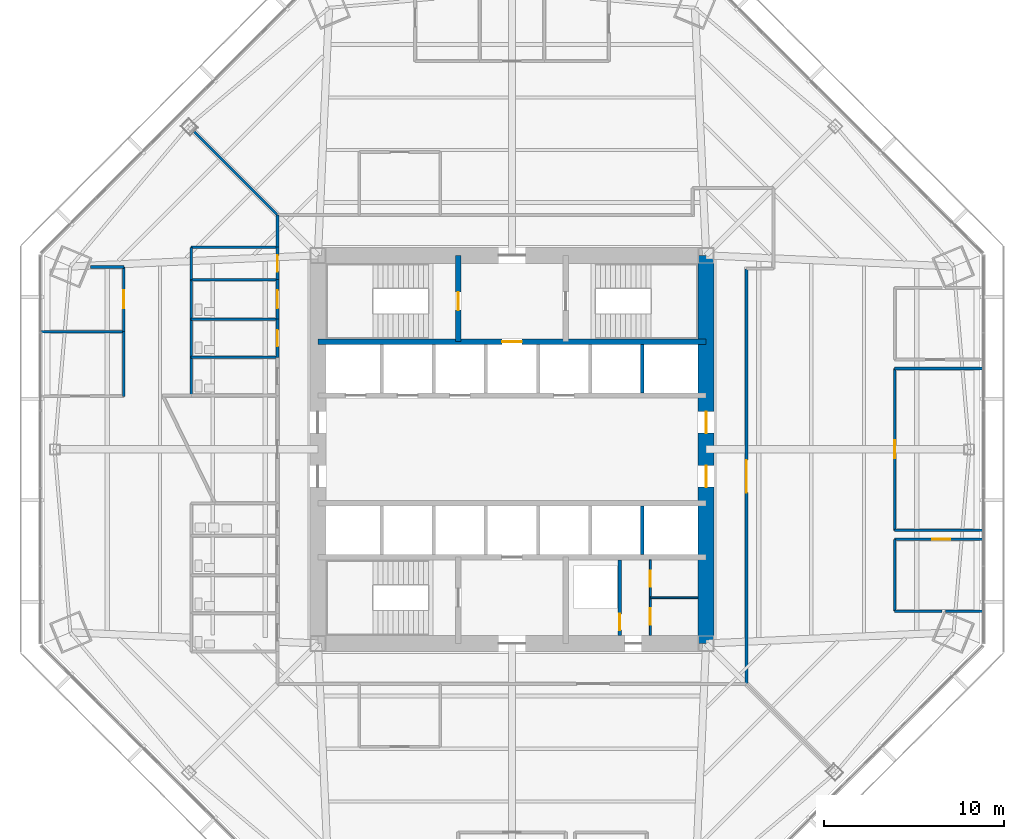
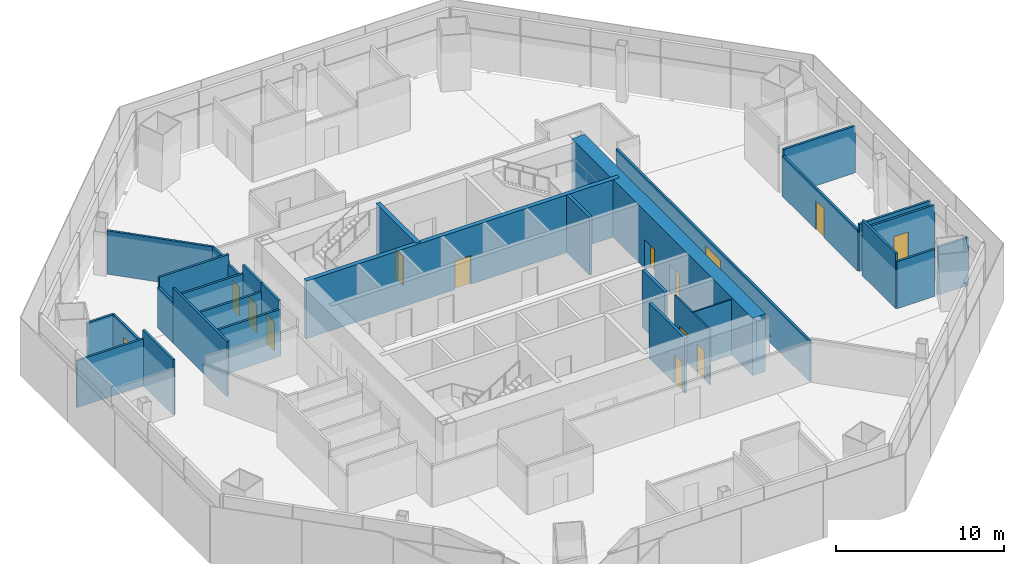
# One storey, part 10 of 15: 31 walls, 14 doors, 14 openings.
"""IFC4 building model written with IfcOpenShell, lengths in metres."""

from ifc_helpers import new_model, si_unit, direction, frame, frame_2d, origin, place, context, subcontext, project, spatial, rectangle, extrude, material, layer, layer_set, type_object, element, fill, save


model = new_model("IFC4")

# Units and contexts
model_context = context("Model", 3, precision=1e-05, world=origin(), true_north=direction((0.0, 1.0)))
body_context = subcontext(model_context, "Body", "Model", "MODEL_VIEW")
ifc_project = project(units=[si_unit("LENGTHUNIT", "METRE"), si_unit("AREAUNIT", "SQUARE_METRE"), si_unit("VOLUMEUNIT", "CUBIC_METRE"), si_unit("PLANEANGLEUNIT", "RADIAN"), si_unit("MASSUNIT", "GRAM", prefix="KILO")], contexts=[model_context])

# Site, building, storey
site_placement = place(None, origin())
site = spatial("IfcSite", under=ifc_project, at=site_placement, CompositionType="ELEMENT")
building_placement = place(site_placement, origin())
building = spatial("IfcBuilding", under=site, at=building_placement, Name="Mashrafa Tower", CompositionType="ELEMENT")
storey_placement = place(building_placement, frame((0.0, 0.0, 62.39990234375)))
storey = spatial("IfcBuildingStorey", under=building, at=storey_placement, Name="L13", CompositionType="ELEMENT", Elevation=62.39990234375)

# Wall, opening, door
ifc_material_1 = material(Name="Concrete masonry unit", Category="masonry")
ifc_layer_1 = layer(ifc_material_1, 0.199951171875)
ifc_layer_set_1 = layer_set([ifc_layer_1], Name="Blockwork wall 200 2 hr")
wall_type_1 = type_object("IfcWallType", Name="Blockwork wall 200 2 hr", PredefinedType="PARTITIONING", material=ifc_layer_set_1)
wall_1_placement = place(storey_placement, frame((6.0, -10.35009765625, 0.0), z_axis=(0.0, 0.0, 1.0), x_axis=(0.0, 1.0, 0.0)))
wall_1 = element("IfcWall", 1, at=wall_1_placement, inside=storey, type_object=wall_type_1, Name="Riser enclosure wall L13", PredefinedType="PARTITIONING", context=body_context, shape_type="SweptSolid", body=[
    extrude(rectangle(XDim=4.2001953125, YDim=0.199951171875, at=frame_2d((2.10009765625, 0.0))), origin(), (0.0, 0.0, 1.0), 4.03515625),
])
opening_1_placement = place(wall_1_placement, frame((0.300048828125, 0.0, 0.0)))
opening_1 = element("IfcOpeningElement", 2, at=opening_1_placement, cuts=wall_1, Name="Opening 13.034", PredefinedType="OPENING", context=body_context, shape_type="SweptSolid", body=[
    extrude(rectangle(XDim=0.89990234375, YDim=2.10009765625, at=frame_2d((0.449951171875, 1.050048828125))), frame((0.0, 0.10986328125, 0.0), z_axis=(0.0, -1.0, 0.0), x_axis=(1.0, 0.0, 0.0)), (0.0, 0.0, 1.0), 0.219970703125),
])
ifc_material_2 = material(Name="Steel door", Category="steel")
door_type_1 = type_object("IfcDoorType", Name="Service door 900 x 2100 90 min", OperationType="USERDEFINED", PredefinedType="DOOR", material=ifc_material_2)
door_1_placement = place(opening_1_placement, origin())
door_1 = element("IfcDoor", 3, at=door_1_placement, inside=storey, type_object=door_type_1, Name="Riser door L13", OperationType="SINGLE_SWING_LEFT", OverallHeight=2.10009765625, OverallWidth=0.89990234375, PredefinedType="DOOR", context=body_context, shape_type="SweptSolid", body=[
    extrude(rectangle(XDim=0.89990234375, YDim=2.10009765625, at=frame_2d((0.449951171875, 1.050048828125))), frame((0.0, 0.02490234375, 0.0), z_axis=(0.0, -1.0, 0.0), x_axis=(1.0, 0.0, 0.0)), (0.0, 0.0, 1.0), 0.050048828125),
])
fill(opening_1, door_1)

ifc_material_3 = material(Name="Concrete C60/75", Category="concrete")
ifc_layer_2 = layer(ifc_material_3, 0.300048828125)
ifc_layer_set_2 = layer_set([ifc_layer_2], Name="Core wall 300 C60/75")
wall_type_2 = type_object("IfcWallType", Name="Core wall 300 C60/75", PredefinedType="SOLIDWALL", material=ifc_layer_set_2)
wall_2_placement = place(storey_placement, frame((-10.800048828125, 6.0, 0.0), z_axis=(0.0, 0.0, 1.0), x_axis=(1.0, 0.0, 0.0)))
wall_2 = element("IfcWall", 4, at=wall_2_placement, inside=storey, type_object=wall_type_2, Name="Core wall CB-N L13", PredefinedType="SOLIDWALL", context=body_context, shape_type="SweptSolid", body=[
    extrude(rectangle(XDim=21.60009765625, YDim=0.300048828125, at=frame_2d((10.800048828125, 0.0))), origin(), (0.0, 0.0, 1.0), 4.2001953125),
])
opening_2_placement = place(wall_2_placement, frame((10.25, 0.0, 0.0)))
opening_2 = element("IfcOpeningElement", 5, at=opening_2_placement, cuts=wall_2, Name="Opening 13.F1", PredefinedType="OPENING", context=body_context, shape_type="SweptSolid", body=[
    extrude(rectangle(XDim=1.10009765625, YDim=2.10009765625, at=frame_2d((0.550048828125, 1.050048828125))), frame((0.0, 0.159912109375, 0.0), z_axis=(0.0, -1.0, 0.0), x_axis=(1.0, 0.0, 0.0)), (0.0, 0.0, 1.0), 0.320068359375),
])
ifc_material_4 = material(Name="Steel door", Category="steel")
door_type_2 = type_object("IfcDoorType", Name="Lift landing door 1100 x 2100 90 min", OperationType="DOUBLE_DOOR_SLIDING", PredefinedType="DOOR", material=ifc_material_4)
door_2_placement = place(opening_2_placement, origin())
door_2 = element("IfcDoor", 6, at=door_2_placement, inside=storey, type_object=door_type_2, Name="Lift landing door F1 L13", OperationType="DOUBLE_DOOR_SLIDING", OverallHeight=2.10009765625, OverallWidth=1.10009765625, PredefinedType="DOOR", context=body_context, shape_type="SweptSolid", body=[
    extrude(rectangle(XDim=1.10009765625, YDim=2.10009765625, at=frame_2d((0.550048828125, 1.050048828125))), frame((0.0, 0.02490234375, 0.0), z_axis=(0.0, -1.0, 0.0), x_axis=(1.0, 0.0, 0.0)), (0.0, 0.0, 1.0), 0.050048828125),
])
fill(opening_2, door_2)

wall_3_placement = place(storey_placement, frame((-3.0, 6.0, 0.0), z_axis=(0.0, 0.0, 1.0), x_axis=(0.0, 1.0, 0.0)))
wall_3 = element("IfcWall", 7, at=wall_3_placement, inside=storey, type_object=wall_type_2, Name="Core wall CX-NW L13", PredefinedType="SOLIDWALL", context=body_context, shape_type="SweptSolid", body=[
    extrude(rectangle(XDim=4.800048828125, YDim=0.300048828125, at=frame_2d((2.39990234375, 0.0))), origin(), (0.0, 0.0, 1.0), 4.2001953125),
])
opening_3_placement = place(wall_3_placement, frame((1.75, 0.0, 0.0)))
opening_3 = element("IfcOpeningElement", 8, at=opening_3_placement, cuts=wall_3, Name="Opening 13.030", PredefinedType="OPENING", context=body_context, shape_type="SweptSolid", body=[
    extrude(rectangle(XDim=1.0, YDim=2.10009765625, at=frame_2d((0.5, 1.050048828125))), frame((0.0, 0.159912109375, 0.0), z_axis=(0.0, -1.0, 0.0), x_axis=(1.0, 0.0, 0.0)), (0.0, 0.0, 1.0), 0.320068359375),
])
ifc_material_5 = material(Name="Steel door", Category="steel")
door_type_3 = type_object("IfcDoorType", Name="Stair door 1000 x 2100 90 min", OperationType="USERDEFINED", PredefinedType="DOOR", material=ifc_material_5)
door_3_placement = place(opening_3_placement, origin())
door_3 = element("IfcDoor", 9, at=door_3_placement, inside=storey, type_object=door_type_3, Name="Stair S1 door L13", OperationType="SINGLE_SWING_LEFT", OverallHeight=2.10009765625, OverallWidth=1.0, PredefinedType="DOOR", context=body_context, shape_type="SweptSolid", body=[
    extrude(rectangle(XDim=1.0, YDim=2.10009765625, at=frame_2d((0.5, 1.050048828125))), frame((0.0, 0.02490234375, 0.0), z_axis=(0.0, -1.0, 0.0), x_axis=(1.0, 0.0, 0.0)), (0.0, 0.0, 1.0), 0.050048828125),
])
fill(opening_3, door_3)

# Wall, openings, doors
ifc_material_6 = material(Name="Concrete C60/75", Category="concrete")
ifc_layer_3 = layer(ifc_material_6, 0.89990234375)
ifc_layer_set_3 = layer_set([ifc_layer_3], Name="Core wall 900 C60/75")
wall_type_3 = type_object("IfcWallType", Name="Core wall 900 C60/75", PredefinedType="SOLIDWALL", material=ifc_layer_set_3)
wall_4_placement = place(storey_placement, frame((10.800048828125, -10.800048828125, 0.0), z_axis=(0.0, 0.0, 1.0), x_axis=(0.0, 1.0, 0.0)))
wall_4 = element("IfcWall", 10, at=wall_4_placement, inside=storey, type_object=wall_type_3, Name="Core wall CW-E L13", PredefinedType="SOLIDWALL", context=body_context, shape_type="SweptSolid", body=[
    extrude(rectangle(XDim=21.60009765625, YDim=0.89990234375, at=frame_2d((10.800048828125, 0.0))), origin(), (0.0, 0.0, 1.0), 4.2001953125),
])
opening_4_placement = place(wall_4_placement, frame((11.699951171875, 0.0, 0.0)))
opening_4 = element("IfcOpeningElement", 11, at=opening_4_placement, cuts=wall_4, Name="Opening 13.024", PredefinedType="OPENING", context=body_context, shape_type="SweptSolid", body=[
    extrude(rectangle(XDim=1.199951171875, YDim=2.10009765625, at=frame_2d((0.60009765625, 1.050048828125))), frame((0.0, 0.4599609375, 0.0), z_axis=(0.0, -1.0, 0.0), x_axis=(1.0, 0.0, 0.0)), (0.0, 0.0, 1.0), 0.919921875),
])
opening_5_placement = place(wall_4_placement, frame((8.699951171875, 0.0, 0.0)))
opening_5 = element("IfcOpeningElement", 12, at=opening_5_placement, cuts=wall_4, Name="Opening 13.026", PredefinedType="OPENING", context=body_context, shape_type="SweptSolid", body=[
    extrude(rectangle(XDim=1.199951171875, YDim=2.10009765625, at=frame_2d((0.60009765625, 1.050048828125))), frame((0.0, 0.4599609375, 0.0), z_axis=(0.0, -1.0, 0.0), x_axis=(1.0, 0.0, 0.0)), (0.0, 0.0, 1.0), 0.919921875),
])
ifc_material_7 = material(Name="Steel door", Category="steel")
door_type_4 = type_object("IfcDoorType", Name="Lift hall door 1200 x 2100 90 min", OperationType="USERDEFINED", PredefinedType="DOOR", material=ifc_material_7)
door_4_placement = place(opening_4_placement, frame((1.199951171875, 0.0, 0.0), z_axis=(0.0, 0.0, 1.0), x_axis=(-1.0, 0.0, 0.0)))
door_4 = element("IfcDoor", 13, at=door_4_placement, inside=storey, type_object=door_type_4, Name="Lift hall door east L13", OperationType="SINGLE_SWING_LEFT", OverallHeight=2.10009765625, OverallWidth=1.199951171875, PredefinedType="DOOR", context=body_context, shape_type="SweptSolid", body=[
    extrude(rectangle(XDim=1.199951171875, YDim=2.10009765625, at=frame_2d((0.60009765625, 1.050048828125))), frame((0.0, 0.02490234375, 0.0), z_axis=(0.0, -1.0, 0.0), x_axis=(1.0, 0.0, 0.0)), (0.0, 0.0, 1.0), 0.050048828125),
])
fill(opening_4, door_4)
door_5_placement = place(opening_5_placement, origin())
door_5 = element("IfcDoor", 14, at=door_5_placement, inside=storey, type_object=door_type_4, Name="Lift hall door east L13", OperationType="SINGLE_SWING_LEFT", OverallHeight=2.10009765625, OverallWidth=1.199951171875, PredefinedType="DOOR", context=body_context, shape_type="SweptSolid", body=[
    extrude(rectangle(XDim=1.199951171875, YDim=2.10009765625, at=frame_2d((0.60009765625, 1.050048828125))), frame((0.0, 0.02490234375, 0.0), z_axis=(0.0, -1.0, 0.0), x_axis=(1.0, 0.0, 0.0)), (0.0, 0.0, 1.0), 0.050048828125),
])
fill(opening_5, door_5)

# Wall, opening, door
ifc_material_8 = material(Name="Gypsum board on steel studs", Category="steel")
ifc_layer_4 = layer(ifc_material_8, 0.14990234375)
ifc_layer_set_4 = layer_set([ifc_layer_4], Name="Corridor partition 150 1 hr")
wall_type_4 = type_object("IfcWallType", Name="Corridor partition 150 1 hr", PredefinedType="PARTITIONING", material=ifc_layer_set_4)
wall_5_placement = place(storey_placement, frame((-13.050048828125, 7.2509765625, 0.0), z_axis=(0.0, 0.0, 1.0), x_axis=(0.0, -1.0, 0.0)))
wall_5 = element("IfcWall", 15, at=wall_5_placement, inside=storey, type_object=wall_type_4, Name="Corridor wall L13-002", PredefinedType="PARTITIONING", context=body_context, shape_type="SweptSolid", body=[
    extrude(rectangle(XDim=2.126953125, YDim=0.14990234375, at=frame_2d((1.0634765625, 0.0))), origin(), (0.0, 0.0, 1.0), 4.03515625),
])
opening_6_placement = place(wall_5_placement, frame((0.613525390625, 0.0, 0.0)))
opening_6 = element("IfcOpeningElement", 16, at=opening_6_placement, cuts=wall_5, Name="Opening 13.002", PredefinedType="OPENING", context=body_context, shape_type="SweptSolid", body=[
    extrude(rectangle(XDim=0.89990234375, YDim=2.10009765625, at=frame_2d((0.449951171875, 1.050048828125))), frame((0.0, 0.0849609375, 0.0), z_axis=(0.0, -1.0, 0.0), x_axis=(1.0, 0.0, 0.0)), (0.0, 0.0, 1.0), 0.169921875),
])
ifc_material_9 = material(Name="Timber door", Category="wood")
door_type_5 = type_object("IfcDoorType", Name="Toilet door 900 x 2100", OperationType="USERDEFINED", PredefinedType="DOOR", material=ifc_material_9)
door_6_placement = place(opening_6_placement, frame((0.89990234375, 0.0, 0.0), z_axis=(0.0, 0.0, 1.0), x_axis=(-1.0, 0.0, 0.0)))
door_6 = element("IfcDoor", 17, at=door_6_placement, inside=storey, type_object=door_type_5, Name="WC Male L13 N door", OperationType="SINGLE_SWING_LEFT", OverallHeight=2.10009765625, OverallWidth=0.89990234375, PredefinedType="DOOR", context=body_context, shape_type="SweptSolid", body=[
    extrude(rectangle(XDim=0.89990234375, YDim=2.10009765625, at=frame_2d((0.449951171875, 1.050048828125))), frame((0.0, 0.02490234375, 0.0), z_axis=(0.0, -1.0, 0.0), x_axis=(1.0, 0.0, 0.0)), (0.0, 0.0, 1.0), 0.050048828125),
])
fill(opening_6, door_6)

wall_6_placement = place(storey_placement, frame((-13.050048828125, 9.450927734375, 0.0), z_axis=(0.0, 0.0, 1.0), x_axis=(0.0, -1.0, 0.0)))
wall_6 = element("IfcWall", 18, at=wall_6_placement, inside=storey, type_object=wall_type_4, Name="Corridor wall L13-003", PredefinedType="PARTITIONING", context=body_context, shape_type="SweptSolid", body=[
    extrude(rectangle(XDim=2.201904296875, YDim=0.14990234375, at=frame_2d((1.10107421875, 0.0))), origin(), (0.0, 0.0, 1.0), 4.03515625),
])
opening_7_placement = place(wall_6_placement, frame((0.60107421875, 0.0, 0.0)))
opening_7 = element("IfcOpeningElement", 19, at=opening_7_placement, cuts=wall_6, Name="Opening 13.003", PredefinedType="OPENING", context=body_context, shape_type="SweptSolid", body=[
    extrude(rectangle(XDim=1.0, YDim=2.10009765625, at=frame_2d((0.5, 1.050048828125))), frame((0.0, 0.0849609375, 0.0), z_axis=(0.0, -1.0, 0.0), x_axis=(1.0, 0.0, 0.0)), (0.0, 0.0, 1.0), 0.169921875),
])
ifc_material_10 = material(Name="Timber door", Category="wood")
door_type_6 = type_object("IfcDoorType", Name="Accessible toilet door 1000 x 2100", OperationType="USERDEFINED", PredefinedType="DOOR", material=ifc_material_10)
door_7_placement = place(opening_7_placement, frame((1.0, 0.0, 0.0), z_axis=(0.0, 0.0, 1.0), x_axis=(-1.0, 0.0, 0.0)))
door_7 = element("IfcDoor", 20, at=door_7_placement, inside=storey, type_object=door_type_6, Name="Accessible WC L13 N door", OperationType="SINGLE_SWING_RIGHT", OverallHeight=2.10009765625, OverallWidth=1.0, PredefinedType="DOOR", context=body_context, shape_type="SweptSolid", body=[
    extrude(rectangle(XDim=1.0, YDim=2.10009765625, at=frame_2d((0.5, 1.050048828125))), frame((0.0, 0.02490234375, 0.0), z_axis=(0.0, -1.0, 0.0), x_axis=(1.0, 0.0, 0.0)), (0.0, 0.0, 1.0), 0.050048828125),
])
fill(opening_7, door_7)

wall_7_placement = place(storey_placement, frame((-13.050048828125, 11.2509765625, 0.0), z_axis=(0.0, 0.0, 1.0), x_axis=(0.0, -1.0, 0.0)))
wall_7 = element("IfcWall", 21, at=wall_7_placement, inside=storey, type_object=wall_type_4, Name="Corridor wall L13-004", PredefinedType="PARTITIONING", context=body_context, shape_type="SweptSolid", body=[
    extrude(rectangle(XDim=1.802001953125, YDim=0.14990234375, at=frame_2d((0.90087890625, 0.0))), origin(), (0.0, 0.0, 1.0), 3.01416015625),
])
opening_8_placement = place(wall_7_placement, frame((0.450927734375, 0.0, 0.0)))
opening_8 = element("IfcOpeningElement", 22, at=opening_8_placement, cuts=wall_7, Name="Opening 13.004", PredefinedType="OPENING", context=body_context, shape_type="SweptSolid", body=[
    extrude(rectangle(XDim=0.89990234375, YDim=2.10009765625, at=frame_2d((0.449951171875, 1.050048828125))), frame((0.0, 0.0849609375, 0.0), z_axis=(0.0, -1.0, 0.0), x_axis=(1.0, 0.0, 0.0)), (0.0, 0.0, 1.0), 0.169921875),
])
ifc_material_11 = material(Name="Timber door", Category="wood")
door_type_7 = type_object("IfcDoorType", Name="Store door 900 x 2100", OperationType="USERDEFINED", PredefinedType="DOOR", material=ifc_material_11)
door_8_placement = place(opening_8_placement, frame((0.89990234375, 0.0, 0.0), z_axis=(0.0, 0.0, 1.0), x_axis=(-1.0, 0.0, 0.0)))
door_8 = element("IfcDoor", 23, at=door_8_placement, inside=storey, type_object=door_type_7, Name="Cleaner's Store L13 N door", OperationType="SINGLE_SWING_LEFT", OverallHeight=2.10009765625, OverallWidth=0.89990234375, PredefinedType="DOOR", context=body_context, shape_type="SweptSolid", body=[
    extrude(rectangle(XDim=0.89990234375, YDim=2.10009765625, at=frame_2d((0.449951171875, 1.050048828125))), frame((0.0, 0.02490234375, 0.0), z_axis=(0.0, -1.0, 0.0), x_axis=(1.0, 0.0, 0.0)), (0.0, 0.0, 1.0), 0.050048828125),
])
fill(opening_8, door_8)

wall_8_placement = place(storey_placement, frame((13.050048828125, -13.050048828125, 0.0), z_axis=(0.0, 0.0, 1.0), x_axis=(0.0, 1.0, 0.0)))
wall_8 = element("IfcWall", 24, at=wall_8_placement, inside=storey, type_object=wall_type_4, Name="Corridor wall L13-013", PredefinedType="PARTITIONING", context=body_context, shape_type="SweptSolid", body=[
    extrude(rectangle(XDim=23.10009765625, YDim=0.14990234375, at=frame_2d((11.550048828125, 0.0))), origin(), (0.0, 0.0, 1.0), 2.983642578125),
])
opening_9_placement = place(wall_8_placement, frame((10.64990234375, 0.0, 0.0)))
opening_9 = element("IfcOpeningElement", 25, at=opening_9_placement, cuts=wall_8, Name="Opening 13.022", PredefinedType="OPENING", context=body_context, shape_type="SweptSolid", body=[
    extrude(rectangle(XDim=1.800048828125, YDim=2.39990234375, at=frame_2d((0.89990234375, 1.199951171875))), frame((0.0, 0.0849609375, 0.0), z_axis=(0.0, -1.0, 0.0), x_axis=(1.0, 0.0, 0.0)), (0.0, 0.0, 1.0), 0.169921875),
])
ifc_material_12 = material(Name="Timber door", Category="wood")
door_type_8 = type_object("IfcDoorType", Name="Door pair 1800 x 2400", OperationType="DOUBLE_DOOR_SINGLE_SWING", PredefinedType="DOOR", material=ifc_material_12)
door_9_placement = place(opening_9_placement, origin())
door_9 = element("IfcDoor", 26, at=door_9_placement, inside=storey, type_object=door_type_8, Name="Office Tenancy 13-A door", OperationType="DOUBLE_DOOR_SINGLE_SWING", OverallHeight=2.39990234375, OverallWidth=1.800048828125, PredefinedType="DOOR", context=body_context, shape_type="SweptSolid", body=[
    extrude(rectangle(XDim=1.800048828125, YDim=2.39990234375, at=frame_2d((0.89990234375, 1.199951171875))), frame((0.0, 0.02490234375, 0.0), z_axis=(0.0, -1.0, 0.0), x_axis=(1.0, 0.0, 0.0)), (0.0, 0.0, 1.0), 0.050048828125),
])
fill(opening_9, door_9)

# Wall
wall_9_placement = place(storey_placement, frame((-13.050048828125, 13.050048828125, 0.0), z_axis=(0.0, 0.0, 1.0), x_axis=(0.0, -1.0, 0.0)))
element("IfcWall", 27, at=wall_9_placement, inside=storey, type_object=wall_type_4, Name="Corridor wall L13-021", PredefinedType="PARTITIONING", context=body_context, shape_type="SweptSolid", body=[
    extrude(rectangle(XDim=1.801025390625, YDim=0.14990234375, at=frame_2d((0.900390625, 0.0))), origin(), (0.0, 0.0, 1.0), 3.16650390625),
])

# Wall, openings, doors
ifc_material_13 = material(Name="Gypsum board on steel studs", Category="steel")
ifc_layer_5 = layer(ifc_material_13, 0.10009765625)
ifc_layer_set_5 = layer_set([ifc_layer_5], Name="Partition 100 1 hr")
wall_type_5 = type_object("IfcWallType", Name="Partition 100 1 hr", PredefinedType="PARTITIONING", material=ifc_layer_set_5)
wall_10_placement = place(storey_placement, frame((7.699951171875, -10.35009765625, 0.0), z_axis=(0.0, 0.0, 1.0), x_axis=(0.0, 1.0, 0.0)))
wall_10 = element("IfcWall", 28, at=wall_10_placement, inside=storey, type_object=wall_type_5, Name="Services lobby partition A L13", PredefinedType="PARTITIONING", context=body_context, shape_type="SweptSolid", body=[
    extrude(rectangle(XDim=4.2001953125, YDim=0.10009765625, at=frame_2d((2.10009765625, 0.0))), origin(), (0.0, 0.0, 1.0), 4.03515625),
])
opening_10_placement = place(wall_10_placement, frame((2.699951171875, 0.0, 0.0)))
opening_10 = element("IfcOpeningElement", 29, at=opening_10_placement, cuts=wall_10, Name="Opening 13.035", PredefinedType="OPENING", context=body_context, shape_type="SweptSolid", body=[
    extrude(rectangle(XDim=0.89990234375, YDim=2.10009765625, at=frame_2d((0.449951171875, 1.050048828125))), frame((0.0, 0.06005859375, 0.0), z_axis=(0.0, -1.0, 0.0), x_axis=(1.0, 0.0, 0.0)), (0.0, 0.0, 1.0), 0.1201171875),
])
opening_11_placement = place(wall_10_placement, frame((0.60009765625, 0.0, 0.0)))
opening_11 = element("IfcOpeningElement", 30, at=opening_11_placement, cuts=wall_10, Name="Opening 13.036", PredefinedType="OPENING", context=body_context, shape_type="SweptSolid", body=[
    extrude(rectangle(XDim=0.89990234375, YDim=2.10009765625, at=frame_2d((0.449951171875, 1.050048828125))), frame((0.0, 0.06005859375, 0.0), z_axis=(0.0, -1.0, 0.0), x_axis=(1.0, 0.0, 0.0)), (0.0, 0.0, 1.0), 0.1201171875),
])
door_10_placement = place(opening_10_placement, frame((0.89990234375, 0.0, 0.0), z_axis=(0.0, 0.0, 1.0), x_axis=(-1.0, 0.0, 0.0)))
door_10 = element("IfcDoor", 31, at=door_10_placement, inside=storey, type_object=door_type_7, Name="Tenant Store L13 door", OperationType="SINGLE_SWING_RIGHT", OverallHeight=2.10009765625, OverallWidth=0.89990234375, PredefinedType="DOOR", context=body_context, shape_type="SweptSolid", body=[
    extrude(rectangle(XDim=0.89990234375, YDim=2.10009765625, at=frame_2d((0.449951171875, 1.050048828125))), frame((0.0, 0.02490234375, 0.0), z_axis=(0.0, -1.0, 0.0), x_axis=(1.0, 0.0, 0.0)), (0.0, 0.0, 1.0), 0.050048828125),
])
fill(opening_10, door_10)
door_11_placement = place(opening_11_placement, frame((0.89990234375, 0.0, 0.0), z_axis=(0.0, 0.0, 1.0), x_axis=(-1.0, 0.0, 0.0)))
door_11 = element("IfcDoor", 32, at=door_11_placement, inside=storey, type_object=door_type_7, Name="Cleaner's Store L13 door", OperationType="SINGLE_SWING_LEFT", OverallHeight=2.10009765625, OverallWidth=0.89990234375, PredefinedType="DOOR", context=body_context, shape_type="SweptSolid", body=[
    extrude(rectangle(XDim=0.89990234375, YDim=2.10009765625, at=frame_2d((0.449951171875, 1.050048828125))), frame((0.0, 0.02490234375, 0.0), z_axis=(0.0, -1.0, 0.0), x_axis=(1.0, 0.0, 0.0)), (0.0, 0.0, 1.0), 0.050048828125),
])
fill(opening_11, door_11)

# Walls
wall_11_placement = place(storey_placement, frame((7.699951171875, -8.25, 0.0), z_axis=(0.0, 0.0, 1.0), x_axis=(1.0, 0.0, 0.0)))
element("IfcWall", 33, at=wall_11_placement, inside=storey, type_object=wall_type_5, Name="Services lobby partition B L13", PredefinedType="PARTITIONING", context=body_context, shape_type="SweptSolid", body=[
    extrude(rectangle(XDim=2.650146484375, YDim=0.10009765625, at=frame_2d((1.3251953125, 0.0))), origin(), (0.0, 0.0, 1.0), 4.03515625),
])
ifc_material_14 = material(Name="Gypsum board on steel studs", Category="steel")
ifc_layer_6 = layer(ifc_material_14, 0.14990234375)
ifc_layer_set_6 = layer_set([ifc_layer_6], Name="Partition 150")
wall_type_6 = type_object("IfcWallType", Name="Partition 150", PredefinedType="PARTITIONING", material=ifc_layer_set_6)
wall_12_placement = place(storey_placement, frame((-13.050048828125, 5.125, 0.0), z_axis=(0.0, 0.0, 1.0), x_axis=(-1.0, 0.0, 0.0)))
element("IfcWall", 34, at=wall_12_placement, inside=storey, type_object=wall_type_6, Name="Partition wall L13-023", PredefinedType="PARTITIONING", context=body_context, shape_type="SweptSolid", body=[
    extrude(rectangle(XDim=4.800048828125, YDim=0.14990234375, at=frame_2d((2.39990234375, 0.0))), origin(), (0.0, 0.0, 1.0), 3.423095703125),
])
wall_13_placement = place(storey_placement, frame((-17.85009765625, 3.0, 0.0), z_axis=(0.0, 0.0, 1.0), x_axis=(0.0, 1.0, 0.0)))
element("IfcWall", 35, at=wall_13_placement, inside=storey, type_object=wall_type_6, Name="Partition wall L13-025", PredefinedType="PARTITIONING", context=body_context, shape_type="SweptSolid", body=[
    extrude(rectangle(XDim=6.449951171875, YDim=0.14990234375, at=frame_2d((3.22509765625, 0.0))), origin(), (0.0, 0.0, 1.0), 4.03515625),
])
for number, where, z_axis, x_axis, name in (
    (36, (-13.050048828125, 7.25, 0.0), (0.0, 0.0, 1.0), (-1.0, 0.0, 0.0), "Partition wall L13-026"),
    (37, (-13.050048828125, 9.449951171875, 0.0), (0.0, 0.0, 1.0), (-1.0, 0.0, 0.0), "Partition wall L13-028"),
):
    element("IfcWall", number, at=place(storey_placement, frame(where, z_axis=z_axis, x_axis=x_axis)), inside=storey, type_object=wall_type_6, Name=name, PredefinedType="PARTITIONING", context=body_context, shape_type="SweptSolid", body=[
        extrude(rectangle(XDim=4.800048828125, YDim=0.14990234375, at=frame_2d((2.39990234375, 0.0))), origin(), (0.0, 0.0, 1.0), 3.423095703125),
    ])
wall_14_placement = place(storey_placement, frame((-13.050048828125, 11.25, 0.0), z_axis=(0.0, 0.0, 1.0), x_axis=(-1.0, 0.0, 0.0)))
element("IfcWall", 38, at=wall_14_placement, inside=storey, type_object=wall_type_6, Name="Partition wall L13-030", PredefinedType="PARTITIONING", context=body_context, shape_type="SweptSolid", body=[
    extrude(rectangle(XDim=4.800048828125, YDim=0.14990234375, at=frame_2d((2.39990234375, 0.0))), origin(), (0.0, 0.0, 1.0), 3.715087890625),
])
wall_15_placement = place(storey_placement, frame((-17.85009765625, 11.25, 0.0), z_axis=(0.0, 0.0, 1.0), x_axis=(0.0, -1.0, 0.0)))
element("IfcWall", 39, at=wall_15_placement, inside=storey, type_object=wall_type_6, Name="Partition wall L13-031", PredefinedType="PARTITIONING", context=body_context, shape_type="SweptSolid", body=[
    extrude(rectangle(XDim=1.800048828125, YDim=0.14990234375, at=frame_2d((0.89990234375, 0.0))), origin(), (0.0, 0.0, 1.0), 3.01416015625),
])
wall_16_placement = place(storey_placement, frame((26.2314453125, 4.5, 0.0), z_axis=(0.0, 0.0, 1.0), x_axis=(-1.0, 0.0, 0.0)))
element("IfcWall", 40, at=wall_16_placement, inside=storey, type_object=wall_type_6, Name="Partition wall L13-044", PredefinedType="PARTITIONING", context=body_context, shape_type="SweptSolid", body=[
    extrude(rectangle(XDim=4.931884765625, YDim=0.14990234375, at=frame_2d((2.4658203125, 0.0))), origin(), (0.0, 0.0, 1.0), 3.423095703125),
])

# Wall, opening, door
wall_17_placement = place(storey_placement, frame((21.299560546875, 4.5, 0.0), z_axis=(0.0, 0.0, 1.0), x_axis=(0.0, -1.0, 0.0)))
wall_17 = element("IfcWall", 41, at=wall_17_placement, inside=storey, type_object=wall_type_6, Name="Partition wall L13-045", PredefinedType="PARTITIONING", context=body_context, shape_type="SweptSolid", body=[
    extrude(rectangle(XDim=9.0, YDim=0.14990234375, at=frame_2d((4.5, 0.0))), origin(), (0.0, 0.0, 1.0), 2.983642578125),
])
opening_12_placement = place(wall_17_placement, frame((4.0, 0.0, 0.0)))
opening_12 = element("IfcOpeningElement", 42, at=opening_12_placement, cuts=wall_17, Name="Opening 13.010", PredefinedType="OPENING", context=body_context, shape_type="SweptSolid", body=[
    extrude(rectangle(XDim=1.0, YDim=2.10009765625, at=frame_2d((0.5, 1.050048828125))), frame((0.0, 0.0849609375, 0.0), z_axis=(0.0, -1.0, 0.0), x_axis=(1.0, 0.0, 0.0)), (0.0, 0.0, 1.0), 0.169921875),
])
ifc_material_15 = material(Name="Timber door", Category="wood")
door_type_9 = type_object("IfcDoorType", Name="Door 1000 x 2100", OperationType="USERDEFINED", PredefinedType="DOOR", material=ifc_material_15)
door_12_placement = place(opening_12_placement, origin())
door_12 = element("IfcDoor", 43, at=door_12_placement, inside=storey, type_object=door_type_9, Name="Meeting Room 13-A door", OperationType="SINGLE_SWING_LEFT", OverallHeight=2.10009765625, OverallWidth=1.0, PredefinedType="DOOR", context=body_context, shape_type="SweptSolid", body=[
    extrude(rectangle(XDim=1.0, YDim=2.10009765625, at=frame_2d((0.5, 1.050048828125))), frame((0.0, 0.02490234375, 0.0), z_axis=(0.0, -1.0, 0.0), x_axis=(1.0, 0.0, 0.0)), (0.0, 0.0, 1.0), 0.050048828125),
])
fill(opening_12, door_12)

# Walls
wall_18_placement = place(storey_placement, frame((21.299560546875, -4.5, 0.0), z_axis=(0.0, 0.0, 1.0), x_axis=(1.0, 0.0, 0.0)))
element("IfcWall", 44, at=wall_18_placement, inside=storey, type_object=wall_type_6, Name="Partition wall L13-046", PredefinedType="PARTITIONING", context=body_context, shape_type="SweptSolid", body=[
    extrude(rectangle(XDim=4.931884765625, YDim=0.14990234375, at=frame_2d((2.4658203125, 0.0))), origin(), (0.0, 0.0, 1.0), 3.423095703125),
])
wall_19_placement = place(storey_placement, frame((-26.2314453125, 6.552978515625, 0.0), z_axis=(0.0, 0.0, 1.0), x_axis=(1.0, 0.0, 0.0)))
element("IfcWall", 45, at=wall_19_placement, inside=storey, type_object=wall_type_6, Name="Partition wall L13-063", PredefinedType="PARTITIONING", context=body_context, shape_type="SweptSolid", body=[
    extrude(rectangle(XDim=4.6318359375, YDim=0.14990234375, at=frame_2d((2.31591796875, 0.0))), origin(), (0.0, 0.0, 1.0), 3.423095703125),
])

# Wall, opening, door
wall_20_placement = place(storey_placement, frame((-21.599609375, 6.552978515625, 0.0), z_axis=(0.0, 0.0, 1.0), x_axis=(0.0, 1.0, 0.0)))
wall_20 = element("IfcWall", 46, at=wall_20_placement, inside=storey, type_object=wall_type_6, Name="Partition wall L13-064", PredefinedType="PARTITIONING", context=body_context, shape_type="SweptSolid", body=[
    extrude(rectangle(XDim=3.60009765625, YDim=0.14990234375, at=frame_2d((1.800048828125, 0.0))), origin(), (0.0, 0.0, 1.0), 3.01416015625),
])
opening_13_placement = place(wall_20_placement, frame((1.300048828125, 0.0, 0.0)))
opening_13 = element("IfcOpeningElement", 47, at=opening_13_placement, cuts=wall_20, Name="Opening 13.017", PredefinedType="OPENING", context=body_context, shape_type="SweptSolid", body=[
    extrude(rectangle(XDim=1.0, YDim=2.10009765625, at=frame_2d((0.5, 1.050048828125))), frame((0.0, 0.0849609375, 0.0), z_axis=(0.0, -1.0, 0.0), x_axis=(1.0, 0.0, 0.0)), (0.0, 0.0, 1.0), 0.169921875),
])
door_13_placement = place(opening_13_placement, origin())
door_13 = element("IfcDoor", 48, at=door_13_placement, inside=storey, type_object=door_type_9, Name="Office 13-B-1 door", OperationType="SINGLE_SWING_LEFT", OverallHeight=2.10009765625, OverallWidth=1.0, PredefinedType="DOOR", context=body_context, shape_type="SweptSolid", body=[
    extrude(rectangle(XDim=1.0, YDim=2.10009765625, at=frame_2d((0.5, 1.050048828125))), frame((0.0, 0.02490234375, 0.0), z_axis=(0.0, -1.0, 0.0), x_axis=(1.0, 0.0, 0.0)), (0.0, 0.0, 1.0), 0.050048828125),
])
fill(opening_13, door_13)

# Walls
wall_21_placement = place(storey_placement, frame((-21.599609375, 10.153076171875, 0.0), z_axis=(0.0, 0.0, 1.0), x_axis=(-1.0, 0.0, 0.0)))
element("IfcWall", 49, at=wall_21_placement, inside=storey, type_object=wall_type_6, Name="Partition wall L13-065", PredefinedType="PARTITIONING", context=body_context, shape_type="SweptSolid", body=[
    extrude(rectangle(XDim=1.84765625, YDim=0.14990234375, at=frame_2d((0.923828125, 0.0))), origin(), (0.0, 0.0, 1.0), 3.01416015625),
])
wall_22_placement = place(storey_placement, frame((-21.599609375, 2.952880859375, 0.0), z_axis=(0.0, 0.0, 1.0), x_axis=(0.0, 1.0, 0.0)))
element("IfcWall", 50, at=wall_22_placement, inside=storey, type_object=wall_type_6, Name="Partition wall L13-067", PredefinedType="PARTITIONING", context=body_context, shape_type="SweptSolid", body=[
    extrude(rectangle(XDim=3.60009765625, YDim=0.14990234375, at=frame_2d((1.800048828125, 0.0))), origin(), (0.0, 0.0, 1.0), 4.03515625),
])

# Wall, opening, door
wall_23_placement = place(storey_placement, frame((26.2333984375, -5.0, 0.0), z_axis=(0.0, 0.0, 1.0), x_axis=(-1.0, 0.0, 0.0)))
wall_23 = element("IfcWall", 51, at=wall_23_placement, inside=storey, type_object=wall_type_6, Name="Partition wall L13-072", PredefinedType="PARTITIONING", context=body_context, shape_type="SweptSolid", body=[
    extrude(rectangle(XDim=4.933837890625, YDim=0.14990234375, at=frame_2d((2.466796875, 0.0))), origin(), (0.0, 0.0, 1.0), 3.423095703125),
])
opening_14_placement = place(wall_23_placement, frame((1.84912109375, 0.0, 0.0)))
opening_14 = element("IfcOpeningElement", 52, at=opening_14_placement, cuts=wall_23, Name="Opening 13.020", PredefinedType="OPENING", context=body_context, shape_type="SweptSolid", body=[
    extrude(rectangle(XDim=1.0, YDim=2.10009765625, at=frame_2d((0.5, 1.050048828125))), frame((0.0, 0.0849609375, 0.0), z_axis=(0.0, -1.0, 0.0), x_axis=(1.0, 0.0, 0.0)), (0.0, 0.0, 1.0), 0.169921875),
])
door_14_placement = place(opening_14_placement, origin())
door_14 = element("IfcDoor", 53, at=door_14_placement, inside=storey, type_object=door_type_9, Name="Project Meeting Room 13-A2 door", OperationType="SINGLE_SWING_LEFT", OverallHeight=2.10009765625, OverallWidth=1.0, PredefinedType="DOOR", context=body_context, shape_type="SweptSolid", body=[
    extrude(rectangle(XDim=1.0, YDim=2.10009765625, at=frame_2d((0.5, 1.050048828125))), frame((0.0, 0.02490234375, 0.0), z_axis=(0.0, -1.0, 0.0), x_axis=(1.0, 0.0, 0.0)), (0.0, 0.0, 1.0), 0.050048828125),
])
fill(opening_14, door_14)

# Walls
wall_24_placement = place(storey_placement, frame((21.299560546875, -5.0, 0.0), z_axis=(0.0, 0.0, 1.0), x_axis=(0.0, -1.0, 0.0)))
element("IfcWall", 54, at=wall_24_placement, inside=storey, type_object=wall_type_6, Name="Partition wall L13-073", PredefinedType="PARTITIONING", context=body_context, shape_type="SweptSolid", body=[
    extrude(rectangle(XDim=4.0, YDim=0.14990234375, at=frame_2d((2.0, 0.0))), origin(), (0.0, 0.0, 1.0), 4.03515625),
])
wall_25_placement = place(storey_placement, frame((21.299560546875, -9.0, 0.0), z_axis=(0.0, 0.0, 1.0), x_axis=(1.0, 0.0, 0.0)))
element("IfcWall", 55, at=wall_25_placement, inside=storey, type_object=wall_type_6, Name="Partition wall L13-074", PredefinedType="PARTITIONING", context=body_context, shape_type="SweptSolid", body=[
    extrude(rectangle(XDim=2.625244140625, YDim=0.14990234375, at=frame_2d((1.3125, 0.0))), origin(), (0.0, 0.0, 1.0), 3.423095703125),
])
wall_26_placement = place(storey_placement, frame((24.12939453125, -9.0, 0.0), z_axis=(0.0, 0.0, 1.0), x_axis=(1.0, 0.0, 0.0)))
element("IfcWall", 56, at=wall_26_placement, inside=storey, type_object=wall_type_6, Name="Partition wall L13-075", PredefinedType="PARTITIONING", context=body_context, shape_type="SweptSolid", body=[
    extrude(rectangle(XDim=2.10205078125, YDim=0.14990234375, at=frame_2d((1.051025390625, 0.0))), origin(), (0.0, 0.0, 1.0), 3.496826171875),
])
wall_27_placement = place(storey_placement, frame((-17.685791015625, 17.685791015625, 0.0), z_axis=(0.0, 0.0, 1.0), x_axis=(0.707106781187, -0.707106781187, 0.0)))
element("IfcWall", 57, at=wall_27_placement, inside=storey, type_object=wall_type_6, Name="Partition wall L13-079", PredefinedType="PARTITIONING", context=body_context, shape_type="SweptSolid", body=[
    extrude(rectangle(XDim=6.555908203125, YDim=0.14990234375, at=frame_2d((3.27783203125, 0.0))), origin(), (0.0, 0.0, 1.0), 3.16650390625),
])
ifc_material_16 = material(Name="Gypsum shaft wall on steel studs", Category="steel")
ifc_layer_7 = layer(ifc_material_16, 0.199951171875)
ifc_layer_set_7 = layer_set([ifc_layer_7], Name="Shaft divider wall 200 2 hr")
wall_type_7 = type_object("IfcWallType", Name="Shaft divider wall 200 2 hr", PredefinedType="PARTITIONING", material=ifc_layer_set_7)
for number, where, z_axis, x_axis, name in (
    (58, (7.25, 3.14990234375, 0.0), (0.0, 0.0, 1.0), (0.0, 1.0, 0.0), "Shaft divider wall N6 L13"),
    (59, (7.25, -5.85009765625, 0.0), (0.0, 0.0, 1.0), (0.0, 1.0, 0.0), "Shaft divider wall S6 L13"),
):
    element("IfcWall", number, at=place(storey_placement, frame(where, z_axis=z_axis, x_axis=x_axis)), inside=storey, type_object=wall_type_7, Name=name, PredefinedType="PARTITIONING", context=body_context, shape_type="SweptSolid", body=[
        extrude(rectangle(XDim=2.7001953125, YDim=0.199951171875, at=frame_2d((1.35009765625, 0.0))), origin(), (0.0, 0.0, 1.0), 4.2001953125),
    ])

save(model, "model.ifc")
